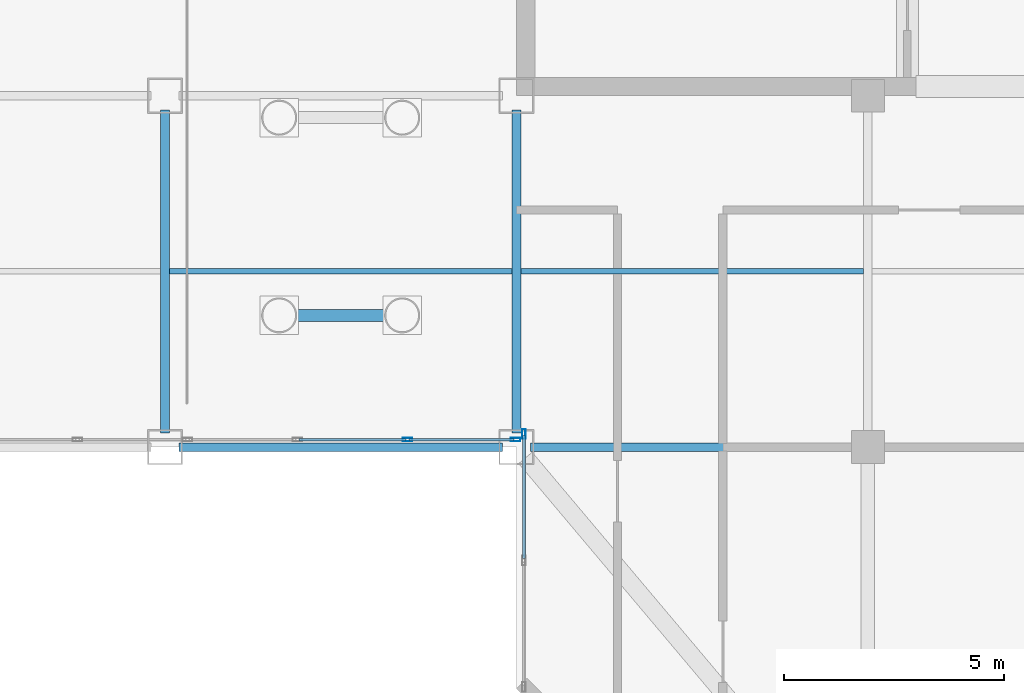
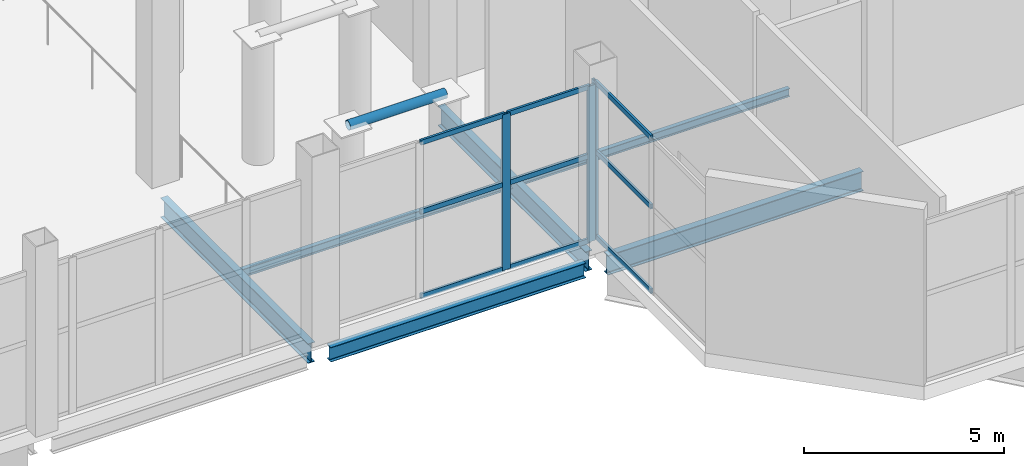
# One storey, part 4 of 18: 13 members, 6 beams, 2 elements without a shape of their own.
"""IFC4 building model written with IfcOpenShell, lengths in metres."""

from ifc_helpers import new_model, si_unit, direction, frame, origin, origin_2d, place, context, subcontext, project, spatial, hollow_rectangle, hollow_circle, i_section, extrude, material, layer, layer_set, material_profile, profile_set, type_object, element, aggregate, save


model = new_model("IFC4")

# Units and contexts
model_context = context("Model", 3, precision=1e-05, world=origin(), true_north=direction((0.0, 1.0)))
body_context = subcontext(model_context, "Body", "Model", "MODEL_VIEW")
ifc_project = project(units=[si_unit("LENGTHUNIT", "METRE"), si_unit("AREAUNIT", "SQUARE_METRE"), si_unit("VOLUMEUNIT", "CUBIC_METRE"), si_unit("PLANEANGLEUNIT", "RADIAN"), si_unit("MASSUNIT", "GRAM", prefix="KILO")], contexts=[model_context])

# Site, building, storey
site_placement = place(None, origin())
site = spatial("IfcSite", under=ifc_project, at=site_placement, CompositionType="ELEMENT")
building_placement = place(site_placement, origin())
building = spatial("IfcBuilding", under=site, at=building_placement, Name="Qianrong Seaharbour Tower", CompositionType="ELEMENT")
storey_placement = place(building_placement, frame((0.0, 0.0, 367.199951171875)))
storey = spatial("IfcBuildingStorey", under=building, at=storey_placement, Name="L89", CompositionType="ELEMENT", Elevation=367.199951171875)

# Beams
ifc_material_1 = material(Name="Structural steel SN490B", Category="steel")
ifc_material_profile_1 = material_profile(ifc_material_1, i_section(OverallWidth=0.199951171875, OverallDepth=0.60009765625, WebThickness=0.010986328125, FlangeThickness=0.01708984375, FilletRadius=0.02197265625, at=origin_2d()), Name="H600x200x11x17")
ifc_profile_set_1 = profile_set([ifc_material_profile_1], Name="Structural steel SN490B")
beam_type_1 = type_object("IfcBeamType", Name="BM-G-600", PredefinedType="BEAM", material=ifc_profile_set_1)
for number, where, z_axis, x_axis, name in (
    (1, (40.820068359375, 28.0, -0.719970703125), (1.0, 0.0, 0.0), (0.0, 1.0, 0.0), "L89 Primary Girder GE G6-G7"),
    (2, (32.5, 28.320068359375, -0.719970703125), (0.0, 1.0, 0.0), (-1.0, 0.0, 0.0), "L89 Primary Girder G5 GE-GF"),
    (3, (40.5, 28.320068359375, -0.719970703125), (0.0, 1.0, 0.0), (-1.0, 0.0, 0.0), "L89 Primary Girder G6 GE-GF"),
):
    element("IfcBeam", number, at=place(storey_placement, frame(where, z_axis=z_axis, x_axis=x_axis)), inside=storey, type_object=beam_type_1, Name=name, PredefinedType="BEAM", context=body_context, shape_type="SweptSolid", body=[
        extrude(i_section(OverallWidth=0.199951171875, OverallDepth=0.60009765625, WebThickness=0.010986328125, FlangeThickness=0.01708984375, FilletRadius=0.02197265625, at=origin_2d()), origin(), (0.0, 0.0, 1.0), 7.35986328125),
    ])
ifc_material_2 = material(Name="Structural steel SN400B", Category="steel")
ifc_material_profile_2 = material_profile(ifc_material_2, i_section(OverallWidth=0.125, OverallDepth=0.25, WebThickness=0.006103515625, FlangeThickness=0.009033203125, FilletRadius=0.011962890625, at=origin_2d()), Name="H250x125x6x9")
ifc_profile_set_2 = profile_set([ifc_material_profile_2], Name="Structural steel SN400B")
beam_type_2 = type_object("IfcBeamType", Name="BM-J-250", PredefinedType="JOIST", material=ifc_profile_set_2)
for number, where, z_axis, x_axis, name in (
    (4, (32.60009765625, 32.0, -0.544921875), (1.0, 0.0, 0.0), (0.0, 1.0, 0.0), "L89 Composite Floor Joist G5-G6/GE-GF"),
    (5, (40.60009765625, 32.0, -0.544921875), (1.0, 0.0, 0.0), (0.0, 1.0, 0.0), "L89 Composite Floor Joist G6-G7/GE-GF"),
):
    element("IfcBeam", number, at=place(storey_placement, frame(where, z_axis=z_axis, x_axis=x_axis)), inside=storey, type_object=beam_type_2, Name=name, PredefinedType="JOIST", context=body_context, shape_type="SweptSolid", body=[
        extrude(i_section(OverallWidth=0.125, OverallDepth=0.25, WebThickness=0.006103515625, FlangeThickness=0.009033203125, FilletRadius=0.011962890625, at=origin_2d()), origin(), (0.0, 0.0, 1.0), 7.7998046875),
    ])
ifc_material_profile_3 = material_profile(ifc_material_2, i_section(OverallWidth=0.199951171875, OverallDepth=0.449951171875, WebThickness=0.009033203125, FlangeThickness=0.013916015625, FilletRadius=0.01806640625, at=origin_2d()), Name="H450x200x9x14")
ifc_profile_set_3 = profile_set([ifc_material_profile_3], Name="Structural steel SN400B")
beam_type_3 = type_object("IfcBeamType", Name="BM-SP-450", PredefinedType="SPANDREL", material=ifc_profile_set_3)
beam_placement = place(storey_placement, frame((32.820068359375, 28.0, -0.64501953125), z_axis=(1.0, 0.0, 0.0), x_axis=(0.0, 1.0, 0.0)))
element("IfcBeam", 6, at=beam_placement, inside=storey, type_object=beam_type_3, Name="L89 Spandrel Girder GE G5-G6", PredefinedType="SPANDREL", context=body_context, shape_type="SweptSolid", body=[
    extrude(i_section(OverallWidth=0.199951171875, OverallDepth=0.449951171875, WebThickness=0.009033203125, FlangeThickness=0.013916015625, FilletRadius=0.01806640625, at=origin_2d()), origin(), (0.0, 0.0, 1.0), 7.35986328125),
])

# Curtain wall, member
ifc_material_3 = material(Name="Anodised aluminium 6063-T6 and laminated low-e glass", Category="aluminium")
ifc_layer = layer(ifc_material_3, 0.22998046875)
ifc_layer_set = layer_set([ifc_layer], Name="Anodised aluminium 6063-T6 and laminated low-e glass")
curtain_wall_type = type_object("IfcCurtainWallType", Name="CW-SYS-5", PredefinedType="NOTDEFINED", material=ifc_layer_set)
curtain_wall_1_placement = place(storey_placement, origin())
curtain_wall_1 = element("IfcCurtainWall", 7, at=curtain_wall_1_placement, inside=storey, type_object=curtain_wall_type, Name="L89 Venturi Wind-Turbine Shroud Curtain Wall REENTRANT_WEST", PredefinedType="NOTDEFINED")
ifc_material_4 = material(Name="Extruded aluminium 6063-T6", Category="aluminium")
ifc_material_profile_4 = material_profile(ifc_material_4, hollow_rectangle(XDim=0.080078125, YDim=0.219970703125, WallThickness=0.0048828125, at=origin_2d()), Name="ALU-MUL-220x80x5")
ifc_profile_set_4 = profile_set([ifc_material_profile_4], Name="Extruded aluminium 6063-T6")
member_type_1 = type_object("IfcMemberType", Name="CW-MUL-220", PredefinedType="MULLION", material=ifc_profile_set_4)
member_1_placement = place(storey_placement, frame((40.669921875, 28.300048828125, 0.0), z_axis=(0.0, 0.0, 1.0), x_axis=(-1.0, 0.0, 0.0)))
member_1 = element("IfcMember", 8, at=member_1_placement, type_object=member_type_1, Name="CW-5 mullion 3", PredefinedType="MULLION", context=body_context, shape_type="SweptSolid", body=[
    extrude(hollow_rectangle(XDim=0.080078125, YDim=0.219970703125, WallThickness=0.0048828125, at=origin_2d()), origin(), (0.0, 0.0, 1.0), 4.75),
])

# Curtain wall, members
curtain_wall_2_placement = place(storey_placement, origin())
curtain_wall_2 = element("IfcCurtainWall", 9, at=curtain_wall_2_placement, inside=storey, type_object=curtain_wall_type, Name="L89 Venturi Wind-Turbine Shroud Curtain Wall HARBOUR_RIBBON", PredefinedType="NOTDEFINED")
member_2_placement = place(storey_placement, frame((40.47998046875, 28.169921875, 0.0), z_axis=(0.0, 0.0, 1.0), x_axis=(0.0, -1.0, 0.0)))
member_2 = element("IfcMember", 10, at=member_2_placement, type_object=member_type_1, Name="CW-5 mullion 1", PredefinedType="MULLION", context=body_context, shape_type="SweptSolid", body=[
    extrude(hollow_rectangle(XDim=0.080078125, YDim=0.219970703125, WallThickness=0.0048828125, at=origin_2d()), origin(), (0.0, 0.0, 1.0), 4.75),
])
member_3_placement = place(storey_placement, frame((38.017578125, 28.169921875, 0.0), z_axis=(0.0, 0.0, 1.0), x_axis=(0.0, -1.0, 0.0)))
member_3 = element("IfcMember", 11, at=member_3_placement, type_object=member_type_1, Name="CW-5 mullion 2", PredefinedType="MULLION", context=body_context, shape_type="SweptSolid", body=[
    extrude(hollow_rectangle(XDim=0.080078125, YDim=0.219970703125, WallThickness=0.0048828125, at=origin_2d()), origin(), (0.0, 0.0, 1.0), 4.75),
])

# Member
ifc_material_profile_5 = material_profile(ifc_material_4, hollow_rectangle(XDim=0.06494140625, YDim=0.14990234375, WallThickness=0.00390625, at=origin_2d()), Name="ALU-TRN-150x65x4")
ifc_profile_set_5 = profile_set([ifc_material_profile_5], Name="Extruded aluminium 6063-T6")
member_type_2 = type_object("IfcMemberType", Name="CW-TRN-150", PredefinedType="USERDEFINED", material=ifc_profile_set_5)
member_4_placement = place(storey_placement, frame((40.669921875, 25.4599609375, 0.032470703125), z_axis=(0.0, 1.0, 0.0), x_axis=(-1.0, 0.0, 0.0)))
member_4 = element("IfcMember", 12, at=member_4_placement, type_object=member_type_2, Name="CW-5 transom 2.1", ObjectType="TRANSOM", PredefinedType="USERDEFINED", context=body_context, shape_type="SweptSolid", body=[
    extrude(hollow_rectangle(XDim=0.06494140625, YDim=0.14990234375, WallThickness=0.00390625, at=origin_2d()), origin(), (0.0, 0.0, 1.0), 2.800048828125),
])

member_5_placement = place(storey_placement, frame((40.669921875, 25.4599609375, 2.612548828125), z_axis=(0.0, 1.0, 0.0), x_axis=(-1.0, 0.0, 0.0)))
member_5 = element("IfcMember", 13, at=member_5_placement, type_object=member_type_2, Name="CW-5 transom 2.2", ObjectType="TRANSOM", PredefinedType="USERDEFINED", context=body_context, shape_type="SweptSolid", body=[
    extrude(hollow_rectangle(XDim=0.06494140625, YDim=0.14990234375, WallThickness=0.00390625, at=origin_2d()), origin(), (0.0, 0.0, 1.0), 2.800048828125),
])

member_6_placement = place(storey_placement, frame((40.669921875, 25.4599609375, 4.717529296875), z_axis=(0.0, 1.0, 0.0), x_axis=(-1.0, 0.0, 0.0)))
member_6 = element("IfcMember", 14, at=member_6_placement, type_object=member_type_2, Name="CW-5 transom 2.3", ObjectType="TRANSOM", PredefinedType="USERDEFINED", context=body_context, shape_type="SweptSolid", body=[
    extrude(hollow_rectangle(XDim=0.06494140625, YDim=0.14990234375, WallThickness=0.00390625, at=origin_2d()), origin(), (0.0, 0.0, 1.0), 2.800048828125),
])

aggregate(curtain_wall_1, [member_1, member_4, member_5, member_6])

member_7_placement = place(storey_placement, frame((40.43994140625, 28.169921875, 0.032470703125), z_axis=(-1.0, 0.0, 0.0), x_axis=(0.0, -1.0, 0.0)))
member_7 = element("IfcMember", 15, at=member_7_placement, type_object=member_type_2, Name="CW-5 transom 1.1", ObjectType="TRANSOM", PredefinedType="USERDEFINED", context=body_context, shape_type="SweptSolid", body=[
    extrude(hollow_rectangle(XDim=0.06494140625, YDim=0.14990234375, WallThickness=0.00390625, at=origin_2d()), origin(), (0.0, 0.0, 1.0), 2.38232421875),
])

member_8_placement = place(storey_placement, frame((40.43994140625, 28.169921875, 2.612548828125), z_axis=(-1.0, 0.0, 0.0), x_axis=(0.0, -1.0, 0.0)))
member_8 = element("IfcMember", 16, at=member_8_placement, type_object=member_type_2, Name="CW-5 transom 1.2", ObjectType="TRANSOM", PredefinedType="USERDEFINED", context=body_context, shape_type="SweptSolid", body=[
    extrude(hollow_rectangle(XDim=0.06494140625, YDim=0.14990234375, WallThickness=0.00390625, at=origin_2d()), origin(), (0.0, 0.0, 1.0), 2.38232421875),
])

member_9_placement = place(storey_placement, frame((40.43994140625, 28.169921875, 4.717529296875), z_axis=(-1.0, 0.0, 0.0), x_axis=(0.0, -1.0, 0.0)))
member_9 = element("IfcMember", 17, at=member_9_placement, type_object=member_type_2, Name="CW-5 transom 1.3", ObjectType="TRANSOM", PredefinedType="USERDEFINED", context=body_context, shape_type="SweptSolid", body=[
    extrude(hollow_rectangle(XDim=0.06494140625, YDim=0.14990234375, WallThickness=0.00390625, at=origin_2d()), origin(), (0.0, 0.0, 1.0), 2.38232421875),
])

member_10_placement = place(storey_placement, frame((37.9775390625, 28.169921875, 0.032470703125), z_axis=(-1.0, 0.0, 0.0), x_axis=(0.0, -1.0, 0.0)))
member_10 = element("IfcMember", 18, at=member_10_placement, type_object=member_type_2, Name="CW-5 transom 2.1", ObjectType="TRANSOM", PredefinedType="USERDEFINED", context=body_context, shape_type="SweptSolid", body=[
    extrude(hollow_rectangle(XDim=0.06494140625, YDim=0.14990234375, WallThickness=0.00390625, at=origin_2d()), origin(), (0.0, 0.0, 1.0), 2.422607421875),
])

member_11_placement = place(storey_placement, frame((37.9775390625, 28.169921875, 2.612548828125), z_axis=(-1.0, 0.0, 0.0), x_axis=(0.0, -1.0, 0.0)))
member_11 = element("IfcMember", 19, at=member_11_placement, type_object=member_type_2, Name="CW-5 transom 2.2", ObjectType="TRANSOM", PredefinedType="USERDEFINED", context=body_context, shape_type="SweptSolid", body=[
    extrude(hollow_rectangle(XDim=0.06494140625, YDim=0.14990234375, WallThickness=0.00390625, at=origin_2d()), origin(), (0.0, 0.0, 1.0), 2.422607421875),
])

member_12_placement = place(storey_placement, frame((37.9775390625, 28.169921875, 4.717529296875), z_axis=(-1.0, 0.0, 0.0), x_axis=(0.0, -1.0, 0.0)))
member_12 = element("IfcMember", 20, at=member_12_placement, type_object=member_type_2, Name="CW-5 transom 2.3", ObjectType="TRANSOM", PredefinedType="USERDEFINED", context=body_context, shape_type="SweptSolid", body=[
    extrude(hollow_rectangle(XDim=0.06494140625, YDim=0.14990234375, WallThickness=0.00390625, at=origin_2d()), origin(), (0.0, 0.0, 1.0), 2.422607421875),
])

aggregate(curtain_wall_2, [member_2, member_3, member_7, member_8, member_9, member_10, member_11, member_12])

ifc_material_5 = material(Name="Stainless steel SUS316L", Category="steel")
ifc_material_profile_6 = material_profile(ifc_material_5, hollow_circle(Radius=0.136474609375, WallThickness=0.010009765625, at=origin_2d()), Name="CHS273.0x10")
ifc_profile_set_6 = profile_set([ifc_material_profile_6], Name="Stainless steel SUS316L")
member_type_3 = type_object("IfcMemberType", Name="MEM-SPIRE-STRUT", PredefinedType="STRUT", material=ifc_profile_set_6)
member_13_placement = place(storey_placement, frame((35.10009765625, 31.0, 3.679931640625), z_axis=(1.0, 0.0, 0.0), x_axis=(0.0, 1.0, 0.0)))
element("IfcMember", 21, at=member_13_placement, inside=storey, type_object=member_type_3, Name="L89 Shrouded Wind Turbine Rotor Cross-Frame WT-1", PredefinedType="STRUT", context=body_context, shape_type="SweptSolid", body=[
    extrude(hollow_circle(Radius=0.136474609375, WallThickness=0.010009765625, at=origin_2d()), origin(), (0.0, 0.0, 1.0), 2.7998046875),
])

save(model, "model.ifc")
